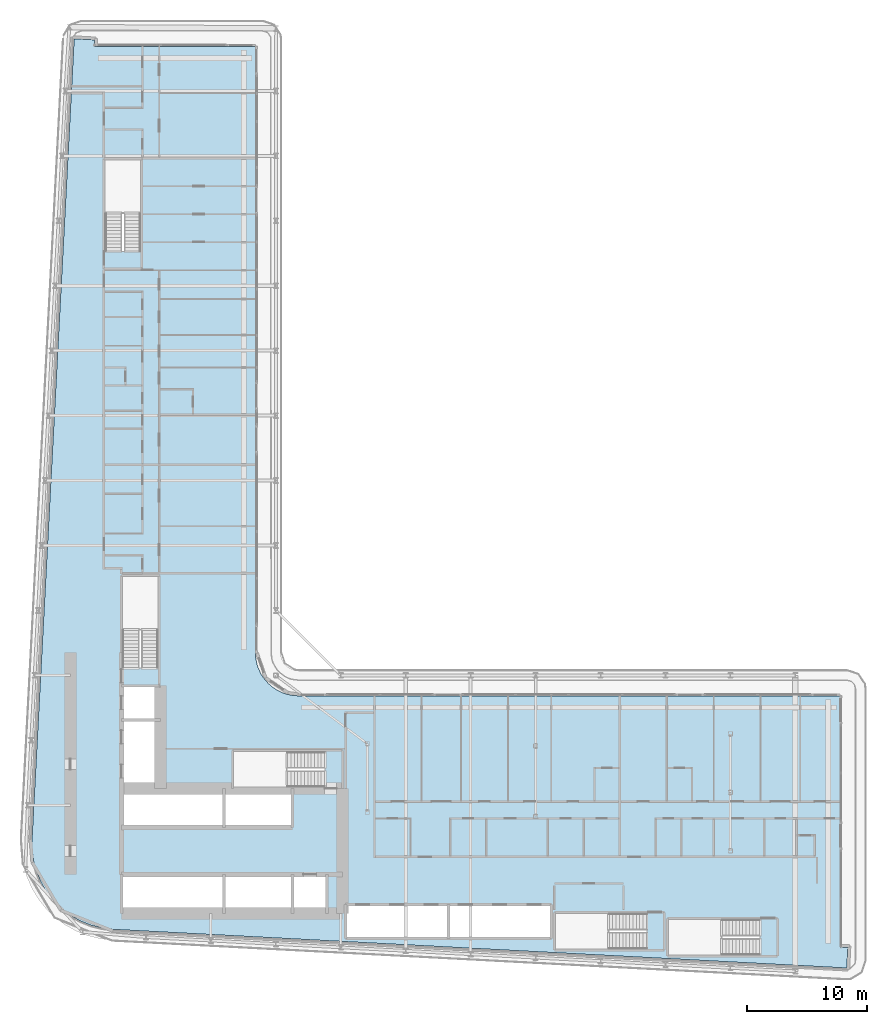
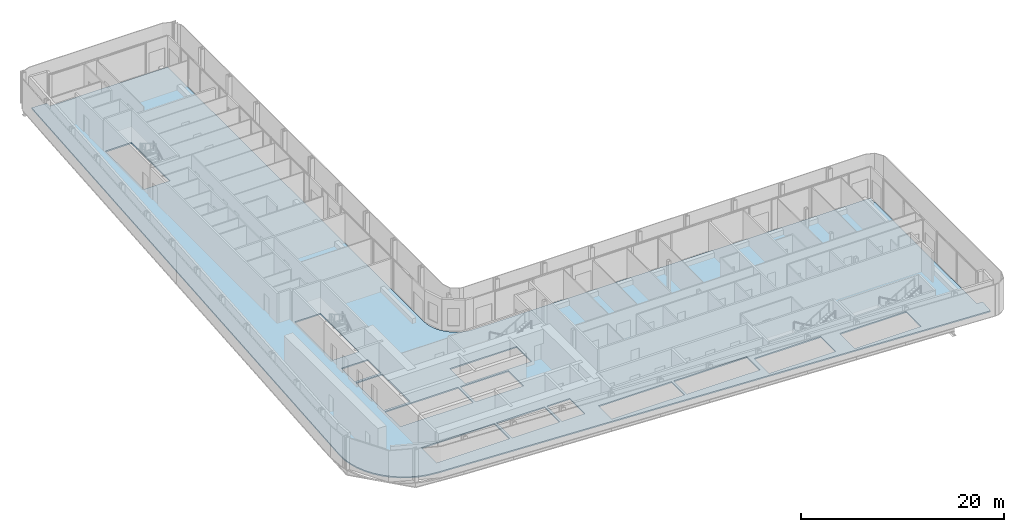
# One storey, part 11 of 27: 1 slab.
"""IFC4 building model written with IfcOpenShell, lengths in metres."""

from ifc_helpers import new_model, si_unit, direction, frame, origin, place, context, subcontext, project, spatial, polyline, outline, extrude, material, layer, layer_set, type_object, element, save


model = new_model("IFC4")

# Units and contexts
model_context = context("Model", 3, precision=1e-05, world=origin(), true_north=direction((0.0, 1.0)))
body_context = subcontext(model_context, "Body", "Model", "MODEL_VIEW")
ifc_project = project(units=[si_unit("LENGTHUNIT", "METRE"), si_unit("AREAUNIT", "SQUARE_METRE"), si_unit("VOLUMEUNIT", "CUBIC_METRE"), si_unit("PLANEANGLEUNIT", "RADIAN"), si_unit("MASSUNIT", "GRAM", prefix="KILO")], contexts=[model_context])

# Site, building, storey
site_placement = place(None, origin())
site = spatial("IfcSite", under=ifc_project, at=site_placement, CompositionType="ELEMENT")
building_placement = place(site_placement, origin())
building = spatial("IfcBuilding", under=site, at=building_placement, Name="Kheshtan School and Residences Tower", CompositionType="ELEMENT")
storey_placement = place(building_placement, frame((0.0, 0.0, 50.0)))
storey = spatial("IfcBuildingStorey", under=building, at=storey_placement, Name="L11", CompositionType="ELEMENT", Elevation=50.0)

# Slab
ifc_material = material(Name="Concrete C40/50", Category="concrete")
ifc_layer = layer(ifc_material, 0.14990234375)
ifc_layer_set = layer_set([ifc_layer], Name="Floor slab 150 Concrete C40/50")
slab_type = type_object("IfcSlabType", Name="Floor slab 150 Concrete C40/50", PredefinedType="FLOOR", material=ifc_layer_set)
slab_placement = place(storey_placement, frame((0.0, 0.0, -0.14990234375)))
element("IfcSlab", 1, at=slab_placement, inside=storey, type_object=slab_type, Name="Floor slab L11", PredefinedType="FLOOR", context=body_context, shape_type="SweptSolid", body=[
    extrude(outline(polyline([(27.718017578125, 29.200927734375), (27.466064453125, 30.093017578125), (27.466064453125, 30.093994140625), (27.3330078125, 31.013916015625), (27.320068359375, 31.965087890625), (27.320068359375, 31.970947265625), (30.822021484375, 98.5009765625), (30.822998046875, 98.508056640625), (30.825927734375, 98.531005859375), (30.825927734375, 98.531982421875), (30.826904296875, 98.531982421875), (31.422119140625, 98.5), (31.423095703125, 98.5), (31.423095703125, 98.4990234375), (31.423095703125, 98.4951171875), (31.423095703125, 98.493896484375), (31.424072265625, 98.493896484375), (31.424072265625, 98.492919921875), (31.425048828125, 98.492919921875), (31.426025390625, 98.492919921875), (31.426025390625, 98.493896484375), (31.427978515625, 98.49609375), (31.428955078125, 98.4970703125), (31.429931640625, 98.498046875), (31.430908203125, 98.498046875), (31.430908203125, 98.4990234375), (31.431884765625, 98.4990234375), (31.431884765625, 98.5), (31.43505859375, 98.5009765625), (31.43603515625, 98.501953125), (31.43896484375, 98.501953125), (31.43994140625, 98.501953125), (31.43994140625, 98.5029296875), (31.44091796875, 98.5029296875), (31.446044921875, 98.5029296875), (32.5009765625, 98.447021484375), (32.50390625, 98.447021484375), (32.5048828125, 98.447021484375), (32.5048828125, 98.446044921875), (32.506103515625, 98.446044921875), (32.510009765625, 98.446044921875), (32.510009765625, 98.445068359375), (32.510986328125, 98.445068359375), (32.510986328125, 98.444091796875), (32.511962890625, 98.444091796875), (32.511962890625, 98.443115234375), (32.512939453125, 98.443115234375), (32.513916015625, 98.443115234375), (32.513916015625, 98.44189453125), (32.514892578125, 98.44189453125), (32.51611328125, 98.44189453125), (32.51904296875, 98.43896484375), (32.51904296875, 98.43798828125), (32.51904296875, 98.43701171875), (32.52001953125, 98.43701171875), (32.52001953125, 98.43603515625), (32.52099609375, 98.43603515625), (32.52099609375, 98.43408203125), (32.52099609375, 98.43310546875), (32.52197265625, 98.43310546875), (32.52197265625, 98.431884765625), (32.52294921875, 98.431884765625), (32.52294921875, 98.430908203125), (32.52294921875, 98.428955078125), (32.52294921875, 98.427978515625), (32.52392578125, 98.427978515625), (32.52392578125, 98.427001953125), (32.52392578125, 98.422119140625), (32.4970703125, 97.9208984375), (32.4970703125, 97.91796875), (32.4970703125, 97.9169921875), (32.49609375, 97.9169921875), (32.49609375, 97.916015625), (32.49609375, 97.912109375), (32.4951171875, 97.910888671875), (32.4951171875, 97.909912109375), (32.493896484375, 97.909912109375), (32.493896484375, 97.908935546875), (32.492919921875, 97.908935546875), (32.492919921875, 97.907958984375), (32.489013671875, 97.904052734375), (32.488037109375, 97.904052734375), (32.488037109375, 97.903076171875), (32.488037109375, 97.902099609375), (32.488037109375, 97.90087890625), (32.489013671875, 97.90087890625), (32.489013671875, 97.89990234375), (32.489990234375, 97.89990234375), (45.85498046875, 97.89990234375), (45.864990234375, 97.89794921875), (45.865966796875, 97.89794921875), (45.868896484375, 97.89599609375), (45.8740234375, 97.89404296875), (45.8779296875, 97.89208984375), (45.881103515625, 97.889892578125), (45.881103515625, 97.888916015625), (45.882080078125, 97.888916015625), (45.882080078125, 97.887939453125), (45.883056640625, 97.887939453125), (45.884033203125, 97.885009765625), (45.885009765625, 97.885009765625), (45.885009765625, 97.884033203125), (45.887939453125, 97.883056640625), (45.887939453125, 97.882080078125), (45.888916015625, 97.882080078125), (45.888916015625, 97.881103515625), (45.889892578125, 97.881103515625), (45.89208984375, 97.8779296875), (45.89404296875, 97.8740234375), (45.89599609375, 97.868896484375), (45.89794921875, 97.865966796875), (45.89794921875, 97.864990234375), (45.89990234375, 97.85498046875), (45.89990234375, 47.429931640625), (45.927001953125, 47.030029296875), (46.01806640625, 46.570068359375), (46.01806640625, 46.569091796875), (46.169921875, 46.1201171875), (46.37890625, 45.697021484375), (46.638916015625, 45.30810546875), (46.949951171875, 44.950927734375), (46.950927734375, 44.949951171875), (47.30810546875, 44.638916015625), (47.697021484375, 44.37890625), (48.1201171875, 44.169921875), (48.569091796875, 44.01806640625), (48.570068359375, 44.01806640625), (49.030029296875, 43.927001953125), (49.429931640625, 43.89990234375), (94.455078125, 43.89990234375), (94.4599609375, 43.89892578125), (94.465087890625, 43.89794921875), (94.466064453125, 43.89794921875), (94.468994140625, 43.89599609375), (94.47412109375, 43.89404296875), (94.47802734375, 43.89208984375), (94.48095703125, 43.889892578125), (94.48095703125, 43.888916015625), (94.48193359375, 43.888916015625), (94.48193359375, 43.887939453125), (94.48291015625, 43.887939453125), (94.48388671875, 43.885009765625), (94.485107421875, 43.885009765625), (94.485107421875, 43.884033203125), (94.488037109375, 43.883056640625), (94.488037109375, 43.882080078125), (94.489013671875, 43.882080078125), (94.489013671875, 43.881103515625), (94.489990234375, 43.881103515625), (94.491943359375, 43.8779296875), (94.493896484375, 43.8740234375), (94.49609375, 43.868896484375), (94.498046875, 43.865966796875), (94.498046875, 43.864990234375), (94.4990234375, 43.860107421875), (94.5, 43.85498046875), (94.5, 22.992919921875), (94.5, 22.991943359375), (94.5009765625, 22.991943359375), (94.5009765625, 22.990966796875), (94.501953125, 22.990966796875), (94.5029296875, 22.990966796875), (94.5029296875, 22.991943359375), (94.5048828125, 22.993896484375), (94.506103515625, 22.9951171875), (94.507080078125, 22.99609375), (94.508056640625, 22.99609375), (94.508056640625, 22.9970703125), (94.509033203125, 22.9970703125), (94.509033203125, 22.998046875), (94.511962890625, 22.9990234375), (94.512939453125, 23.0), (94.51611328125, 23.0), (94.51708984375, 23.0), (94.51708984375, 23.0009765625), (94.51806640625, 23.0009765625), (94.52294921875, 23.0009765625), (95.137939453125, 22.968017578125), (95.14111328125, 22.968017578125), (95.14208984375, 22.968017578125), (95.14208984375, 22.967041015625), (95.14306640625, 22.967041015625), (95.14697265625, 22.967041015625), (95.14697265625, 22.966064453125), (95.14794921875, 22.966064453125), (95.14794921875, 22.965087890625), (95.14892578125, 22.965087890625), (95.14892578125, 22.964111328125), (95.14990234375, 22.964111328125), (95.15087890625, 22.964111328125), (95.15087890625, 22.962890625), (95.152099609375, 22.962890625), (95.153076171875, 22.962890625), (95.153076171875, 22.9619140625), (95.155029296875, 22.9599609375), (95.156005859375, 22.9599609375), (95.156005859375, 22.958984375), (95.156005859375, 22.9580078125), (95.156982421875, 22.9580078125), (95.156982421875, 22.95703125), (95.157958984375, 22.95703125), (95.157958984375, 22.955078125), (95.157958984375, 22.9541015625), (95.158935546875, 22.9541015625), (95.158935546875, 22.952880859375), (95.159912109375, 22.952880859375), (95.159912109375, 22.951904296875), (95.159912109375, 22.949951171875), (95.159912109375, 22.948974609375), (95.160888671875, 22.948974609375), (95.160888671875, 22.947998046875), (95.160888671875, 22.943115234375), (95.10498046875, 21.885986328125), (95.10498046875, 21.883056640625), (95.10498046875, 21.882080078125), (95.10400390625, 21.882080078125), (95.10400390625, 21.881103515625), (95.10400390625, 21.876953125), (95.10302734375, 21.8759765625), (95.10302734375, 21.875), (95.10205078125, 21.875), (95.10205078125, 21.8740234375), (95.10107421875, 21.8740234375), (95.10107421875, 21.873046875), (95.10009765625, 21.8720703125), (95.097900390625, 21.8701171875), (95.096923828125, 21.868896484375), (95.095947265625, 21.868896484375), (95.095947265625, 21.867919921875), (95.095947265625, 21.866943359375), (95.095947265625, 21.865966796875), (95.096923828125, 21.865966796875), (95.096923828125, 21.864990234375), (95.097900390625, 21.864990234375), (95.09912109375, 21.864990234375), (95.10009765625, 21.864990234375), (95.10009765625, 21.864013671875), (95.068115234375, 21.26904296875), (95.068115234375, 21.26806640625), (95.06689453125, 21.26806640625), (95.04296875, 21.26708984375), (95.0380859375, 21.26708984375), (34.056884765625, 24.47802734375), (33.114990234375, 24.590087890625), (32.215087890625, 24.819091796875), (32.214111328125, 24.819091796875), (31.35205078125, 25.1630859375), (30.541015625, 25.616943359375), (29.799072265625, 26.1708984375), (29.799072265625, 26.172119140625), (29.798095703125, 26.172119140625), (29.134033203125, 26.820068359375), (29.134033203125, 26.821044921875), (29.133056640625, 26.821044921875), (28.55908203125, 27.550048828125), (28.0849609375, 28.345947265625), (27.718017578125, 29.200927734375)]), holes=[polyline([(94.5, 21.87109375), (94.5, 21.866943359375), (94.5, 21.865966796875), (94.5009765625, 21.865966796875), (94.5009765625, 21.864990234375), (94.501953125, 21.864990234375), (94.506103515625, 21.864990234375), (94.507080078125, 21.864990234375), (94.507080078125, 21.865966796875), (94.508056640625, 21.865966796875), (94.508056640625, 21.866943359375), (94.508056640625, 21.867919921875), (94.507080078125, 21.867919921875), (94.506103515625, 21.868896484375), (94.5048828125, 21.8701171875), (94.50390625, 21.87109375), (94.5029296875, 21.8720703125), (94.5029296875, 21.873046875), (94.501953125, 21.873046875), (94.5009765625, 21.873046875), (94.5009765625, 21.8720703125), (94.5, 21.8720703125), (94.5, 21.87109375)]), polyline([(31.423095703125, 97.906005859375), (31.423095703125, 97.902099609375), (31.423095703125, 97.90087890625), (31.424072265625, 97.90087890625), (31.424072265625, 97.89990234375), (31.425048828125, 97.89990234375), (31.428955078125, 97.89990234375), (31.429931640625, 97.89990234375), (31.429931640625, 97.90087890625), (31.430908203125, 97.90087890625), (31.430908203125, 97.902099609375), (31.430908203125, 97.903076171875), (31.429931640625, 97.903076171875), (31.428955078125, 97.904052734375), (31.427978515625, 97.905029296875), (31.427001953125, 97.906005859375), (31.426025390625, 97.906982421875), (31.426025390625, 97.907958984375), (31.425048828125, 97.907958984375), (31.424072265625, 97.907958984375), (31.424072265625, 97.906982421875), (31.423095703125, 97.906982421875), (31.423095703125, 97.906005859375)]), polyline([(34.875, 28.925048828125), (34.875, 25.925048828125), (43.175048828125, 25.925048828125), (43.175048828125, 28.925048828125), (34.875, 28.925048828125)]), polyline([(43.425048828125, 25.925048828125), (48.875, 25.925048828125), (48.875, 28.925048828125), (43.425048828125, 28.925048828125), (43.425048828125, 25.925048828125)]), polyline([(43.175048828125, 36.074951171875), (34.875, 36.074951171875), (34.875, 33.074951171875), (43.175048828125, 33.074951171875), (43.175048828125, 36.074951171875)]), polyline([(34.875, 41.77490234375), (34.875, 36.324951171875), (37.875, 36.324951171875), (37.875, 41.77490234375), (34.875, 41.77490234375)]), polyline([(34.875, 44.625), (34.875, 42.02490234375), (37.875, 42.02490234375), (37.875, 44.625), (34.875, 44.625)]), polyline([(37.800048828125, 46.25), (37.800048828125, 53.81005859375), (34.85009765625, 53.81005859375), (34.85009765625, 46.260009765625), (36.25, 46.260009765625), (36.25, 46.25), (37.800048828125, 46.25)]), polyline([(33.39990234375, 88.4599609375), (33.39990234375, 80.909912109375), (34.800048828125, 80.909912109375), (34.800048828125, 80.89990234375), (36.35009765625, 80.89990234375), (36.35009765625, 88.4599609375), (33.39990234375, 88.4599609375)]), polyline([(87.81005859375, 22.35009765625), (87.81005859375, 23.75), (87.820068359375, 23.75), (87.820068359375, 25.300048828125), (80.260009765625, 25.300048828125), (80.260009765625, 22.35009765625), (87.81005859375, 22.35009765625)]), polyline([(70.85009765625, 22.85009765625), (78.39990234375, 22.85009765625), (78.39990234375, 24.25), (78.409912109375, 24.25), (78.409912109375, 25.800048828125), (70.85009765625, 25.800048828125), (70.85009765625, 22.85009765625)]), polyline([(61.824951171875, 26.425048828125), (53.52490234375, 26.425048828125), (53.52490234375, 23.824951171875), (61.824951171875, 23.824951171875), (61.824951171875, 26.425048828125)]), polyline([(62.074951171875, 23.824951171875), (70.375, 23.824951171875), (70.375, 26.425048828125), (62.074951171875, 26.425048828125), (62.074951171875, 23.824951171875)]), polyline([(49.125, 28.925048828125), (49.125, 25.925048828125), (51.72509765625, 25.925048828125), (51.72509765625, 28.925048828125), (49.125, 28.925048828125)]), polyline([(43.425048828125, 33.074951171875), (48.875, 33.074951171875), (48.875, 36.074951171875), (43.425048828125, 36.074951171875), (43.425048828125, 33.074951171875)]), polyline([(51.64990234375, 39.25), (44.090087890625, 39.25), (44.090087890625, 36.300048828125), (51.639892578125, 36.300048828125), (51.639892578125, 37.699951171875), (51.64990234375, 37.699951171875), (51.64990234375, 39.25)])]), origin(), (0.0, 0.0, 1.0), 0.14990234375),
])

save(model, "model.ifc")
